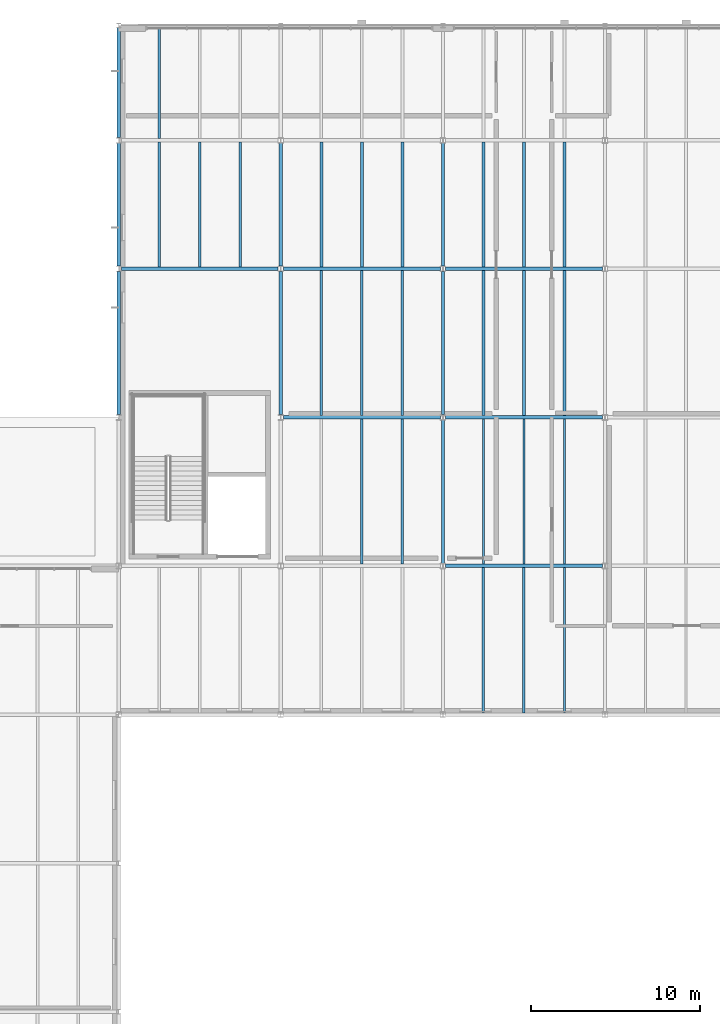
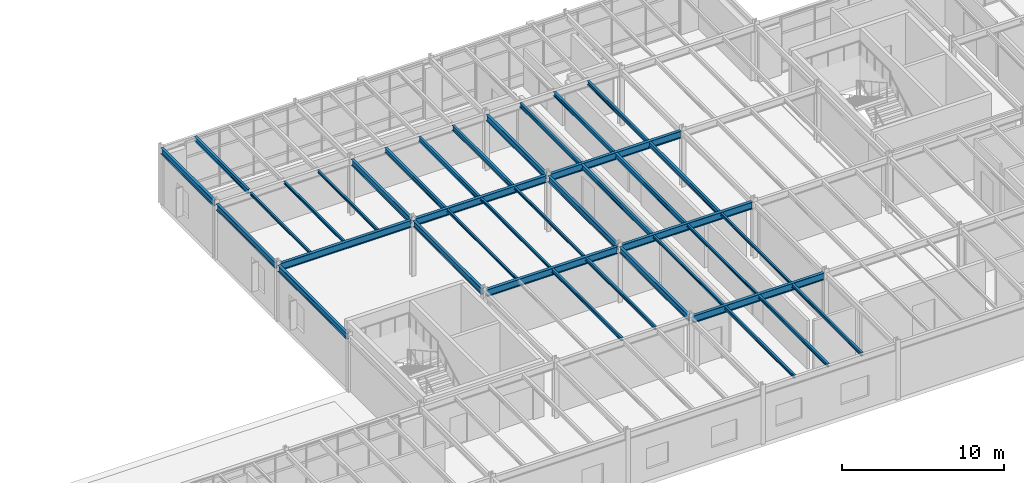
# One storey, part 26 of 69: 38 beams.
"""IFC4 building model written with IfcOpenShell, lengths in metres."""

from ifc_helpers import new_model, si_unit, direction, frame, origin, origin_2d, place, context, subcontext, project, spatial, i_section, extrude, material, material_profile, profile_set, type_object, element, save


model = new_model("IFC4")

# Units and contexts
model_context = context("Model", 3, precision=1e-05, world=origin(), true_north=direction((0.0, 1.0)))
body_context = subcontext(model_context, "Body", "Model", "MODEL_VIEW")
ifc_project = project(units=[si_unit("LENGTHUNIT", "METRE"), si_unit("AREAUNIT", "SQUARE_METRE"), si_unit("VOLUMEUNIT", "CUBIC_METRE"), si_unit("PLANEANGLEUNIT", "RADIAN"), si_unit("MASSUNIT", "GRAM", prefix="KILO")], contexts=[model_context])

# Site, building, storey
site_placement = place(None, origin())
site = spatial("IfcSite", under=ifc_project, at=site_placement, CompositionType="ELEMENT")
building_placement = place(site_placement, origin())
building = spatial("IfcBuilding", under=site, at=building_placement, Name="Sarnbrook Museum", CompositionType="ELEMENT")
storey_placement = place(building_placement, frame((0.0, 0.0, 14.60009765625)))
storey = spatial("IfcBuildingStorey", under=building, at=storey_placement, Name="L03", CompositionType="ELEMENT", Elevation=14.60009765625)

# Beams
ifc_material = material(Name="Structural Steel Grade 300PLUS (AS/NZS 3679.1, fy = 280 MPa for 17 < t <= 40 mm, 300 MPa for t <= 17 mm)", Category="steel")
ifc_material_profile_1 = material_profile(ifc_material, i_section(OverallWidth=0.18994140625, OverallDepth=0.45703125, WebThickness=0.009033203125, FlangeThickness=0.014404296875, FilletRadius=0.011474609375, at=origin_2d()), Name="460UB74.6")
ifc_profile_set_1 = profile_set([ifc_material_profile_1], Name="Structural Steel Grade 300PLUS (AS/NZS 3679.1, fy = 280 MPa for 17 < t <= 40 mm, 300 MPa for t <= 17 mm)")
beam_type_1 = type_object("IfcBeamType", Name="BM-UB460", PredefinedType="BEAM", material=ifc_profile_set_1)
beam_1_placement = place(storey_placement, frame((42.39990234375, 92.157470703125, 3.9814453125), z_axis=(0.0, 1.0, 0.0), x_axis=(-1.0, 0.0, 0.0)))
element("IfcBeam", 1, at=beam_1_placement, inside=storey, type_object=beam_type_1, Name="Girder 5:L-M L03", PredefinedType="BEAM", context=body_context, shape_type="SweptSolid", body=[
    extrude(i_section(OverallWidth=0.18994140625, OverallDepth=0.45703125, WebThickness=0.009033203125, FlangeThickness=0.014404296875, FilletRadius=0.011474609375, at=origin_2d()), origin(), (0.0, 0.0, 1.0), 8.485107421875),
])
beam_2_placement = place(storey_placement, frame((42.39990234375, 100.95751953125, 3.9814453125), z_axis=(0.0, 1.0, 0.0), x_axis=(-1.0, 0.0, 0.0)))
element("IfcBeam", 2, at=beam_2_placement, inside=storey, type_object=beam_type_1, Name="Girder 5:M-N L03", PredefinedType="BEAM", context=body_context, shape_type="SweptSolid", body=[
    extrude(i_section(OverallWidth=0.18994140625, OverallDepth=0.45703125, WebThickness=0.009033203125, FlangeThickness=0.014404296875, FilletRadius=0.011474609375, at=origin_2d()), origin(), (0.0, 0.0, 1.0), 7.284912109375),
])
beam_3_placement = place(storey_placement, frame((42.39990234375, 108.5576171875, 4.0615234375), z_axis=(0.0, 1.0, 0.0), x_axis=(-1.0, 0.0, 0.0)))
element("IfcBeam", 3, at=beam_3_placement, inside=storey, type_object=beam_type_1, Name="Girder 5:N-P L03", PredefinedType="BEAM", context=body_context, shape_type="SweptSolid", body=[
    extrude(i_section(OverallWidth=0.18994140625, OverallDepth=0.45703125, WebThickness=0.009033203125, FlangeThickness=0.014404296875, FilletRadius=0.011474609375, at=origin_2d()), origin(), (0.0, 0.0, 1.0), 6.515380859375),
])
beam_4_placement = place(storey_placement, frame((52.0, 92.157470703125, 3.9814453125), z_axis=(0.0, 1.0, 0.0), x_axis=(-1.0, 0.0, 0.0)))
element("IfcBeam", 4, at=beam_4_placement, inside=storey, type_object=beam_type_1, Name="Girder 6:L-M L03", PredefinedType="BEAM", context=body_context, shape_type="SweptSolid", body=[
    extrude(i_section(OverallWidth=0.18994140625, OverallDepth=0.45703125, WebThickness=0.009033203125, FlangeThickness=0.014404296875, FilletRadius=0.011474609375, at=origin_2d()), origin(), (0.0, 0.0, 1.0), 8.485107421875),
])
beam_5_placement = place(storey_placement, frame((52.0, 100.95751953125, 3.9814453125), z_axis=(0.0, 1.0, 0.0), x_axis=(-1.0, 0.0, 0.0)))
element("IfcBeam", 5, at=beam_5_placement, inside=storey, type_object=beam_type_1, Name="Girder 6:M-N L03", PredefinedType="BEAM", context=body_context, shape_type="SweptSolid", body=[
    extrude(i_section(OverallWidth=0.18994140625, OverallDepth=0.45703125, WebThickness=0.009033203125, FlangeThickness=0.014404296875, FilletRadius=0.011474609375, at=origin_2d()), origin(), (0.0, 0.0, 1.0), 7.284912109375),
])
for number, where, z_axis, x_axis, name in (
    (6, (61.60009765625, 83.357421875, 3.9814453125), (0.0, 1.0, 0.0), (-1.0, 0.0, 0.0), "Girder 7:K-L L03"),
    (7, (61.60009765625, 92.157470703125, 3.9814453125), (0.0, 1.0, 0.0), (-1.0, 0.0, 0.0), "Girder 7:L-M L03"),
):
    element("IfcBeam", number, at=place(storey_placement, frame(where, z_axis=z_axis, x_axis=x_axis)), inside=storey, type_object=beam_type_1, Name=name, PredefinedType="BEAM", context=body_context, shape_type="SweptSolid", body=[
        extrude(i_section(OverallWidth=0.18994140625, OverallDepth=0.45703125, WebThickness=0.009033203125, FlangeThickness=0.014404296875, FilletRadius=0.011474609375, at=origin_2d()), origin(), (0.0, 0.0, 1.0), 8.485107421875),
    ])
beam_6_placement = place(storey_placement, frame((61.60009765625, 100.95751953125, 3.9814453125), z_axis=(0.0, 1.0, 0.0), x_axis=(-1.0, 0.0, 0.0)))
element("IfcBeam", 8, at=beam_6_placement, inside=storey, type_object=beam_type_1, Name="Girder 7:M-N L03", PredefinedType="BEAM", context=body_context, shape_type="SweptSolid", body=[
    extrude(i_section(OverallWidth=0.18994140625, OverallDepth=0.45703125, WebThickness=0.009033203125, FlangeThickness=0.014404296875, FilletRadius=0.011474609375, at=origin_2d()), origin(), (0.0, 0.0, 1.0), 7.284912109375),
])
ifc_material_profile_2 = material_profile(ifc_material, i_section(OverallWidth=0.208984375, OverallDepth=0.532958984375, WebThickness=0.01025390625, FlangeThickness=0.015625, FilletRadius=0.013916015625, at=origin_2d()), Name="530UB92.4")
ifc_profile_set_2 = profile_set([ifc_material_profile_2], Name="Structural Steel Grade 300PLUS (AS/NZS 3679.1, fy = 280 MPa for 17 < t <= 40 mm, 300 MPa for t <= 17 mm)")
beam_type_2 = type_object("IfcBeamType", Name="BM-UB530", PredefinedType="BEAM", material=ifc_profile_set_2)
for number, where, z_axis, x_axis, name in (
    (9, (61.75341796875, 83.199951171875, 3.943359375), (1.0, 0.0, 0.0), (0.0, 1.0, 0.0), "Girder K:7-8 L03"),
    (10, (52.153564453125, 92.0, 3.943359375), (1.0, 0.0, 0.0), (0.0, 1.0, 0.0), "Girder L:6-7 L03"),
    (11, (61.75341796875, 92.0, 3.943359375), (1.0, 0.0, 0.0), (0.0, 1.0, 0.0), "Girder L:7-8 L03"),
    (12, (42.553466796875, 100.800048828125, 3.943359375), (1.0, 0.0, 0.0), (0.0, 1.0, 0.0), "Girder M:5-6 L03"),
    (13, (52.153564453125, 100.800048828125, 3.943359375), (1.0, 0.0, 0.0), (0.0, 1.0, 0.0), "Girder M:6-7 L03"),
    (14, (61.75341796875, 100.800048828125, 3.943359375), (1.0, 0.0, 0.0), (0.0, 1.0, 0.0), "Girder M:7-8 L03"),
):
    element("IfcBeam", number, at=place(storey_placement, frame(where, z_axis=z_axis, x_axis=x_axis)), inside=storey, type_object=beam_type_2, Name=name, PredefinedType="BEAM", context=body_context, shape_type="SweptSolid", body=[
        extrude(i_section(OverallWidth=0.208984375, OverallDepth=0.532958984375, WebThickness=0.01025390625, FlangeThickness=0.015625, FilletRadius=0.013916015625, at=origin_2d()), origin(), (0.0, 0.0, 1.0), 9.29296875),
    ])
ifc_material_profile_3 = material_profile(ifc_material, i_section(OverallWidth=0.134033203125, OverallDepth=0.20703125, WebThickness=0.00634765625, FlangeThickness=0.009521484375, FilletRadius=0.0087890625, at=origin_2d()), Name="200UB29.8")
ifc_profile_set_3 = profile_set([ifc_material_profile_3], Name="Structural Steel Grade 300PLUS (AS/NZS 3679.1, fy = 280 MPa for 17 < t <= 40 mm, 300 MPa for t <= 17 mm)")
beam_type_3 = type_object("IfcBeamType", Name="JS-UB200", PredefinedType="JOIST", material=ifc_profile_set_3)
for number, where, z_axis, x_axis, name in (
    (15, (44.800048828125, 100.904541015625, 4.1064453125), (0.0, 1.0, 0.0), (-1.0, 0.0, 0.0), "Composite Floor Joist 5M-1 L03"),
    (16, (47.199951171875, 100.904541015625, 4.1064453125), (0.0, 1.0, 0.0), (-1.0, 0.0, 0.0), "Composite Floor Joist 5M-2 L03"),
    (17, (49.60009765625, 100.904541015625, 4.1064453125), (0.0, 1.0, 0.0), (-1.0, 0.0, 0.0), "Composite Floor Joist 5M-3 L03"),
):
    element("IfcBeam", number, at=place(storey_placement, frame(where, z_axis=z_axis, x_axis=x_axis)), inside=storey, type_object=beam_type_3, Name=name, PredefinedType="JOIST", context=body_context, shape_type="SweptSolid", body=[
        extrude(i_section(OverallWidth=0.134033203125, OverallDepth=0.20703125, WebThickness=0.00634765625, FlangeThickness=0.009521484375, FilletRadius=0.0087890625, at=origin_2d()), origin(), (0.0, 0.0, 1.0), 7.390869140625),
    ])
for number, where, z_axis, x_axis, name in (
    (18, (54.39990234375, 92.1044921875, 4.1064453125), (0.0, 1.0, 0.0), (-1.0, 0.0, 0.0), "Composite Floor Joist 6L-1 L03"),
    (19, (56.800048828125, 92.1044921875, 4.1064453125), (0.0, 1.0, 0.0), (-1.0, 0.0, 0.0), "Composite Floor Joist 6L-2 L03"),
    (20, (59.199951171875, 92.1044921875, 4.1064453125), (0.0, 1.0, 0.0), (-1.0, 0.0, 0.0), "Composite Floor Joist 6L-3 L03"),
    (21, (64.0, 83.304443359375, 4.1064453125), (0.0, 1.0, 0.0), (-1.0, 0.0, 0.0), "Composite Floor Joist 7K-1 L03"),
    (22, (66.39990234375, 83.304443359375, 4.1064453125), (0.0, 1.0, 0.0), (-1.0, 0.0, 0.0), "Composite Floor Joist 7K-2 L03"),
    (23, (68.800048828125, 83.304443359375, 4.1064453125), (0.0, 1.0, 0.0), (-1.0, 0.0, 0.0), "Composite Floor Joist 7K-3 L03"),
):
    element("IfcBeam", number, at=place(storey_placement, frame(where, z_axis=z_axis, x_axis=x_axis)), inside=storey, type_object=beam_type_3, Name=name, PredefinedType="JOIST", context=body_context, shape_type="SweptSolid", body=[
        extrude(i_section(OverallWidth=0.134033203125, OverallDepth=0.20703125, WebThickness=0.00634765625, FlangeThickness=0.009521484375, FilletRadius=0.0087890625, at=origin_2d()), origin(), (0.0, 0.0, 1.0), 8.591064453125),
    ])
ifc_material_profile_4 = material_profile(ifc_material, i_section(OverallWidth=0.14599609375, OverallDepth=0.256103515625, WebThickness=0.00634765625, FlangeThickness=0.010986328125, FilletRadius=0.0087890625, at=origin_2d()), Name="250UB37.3")
ifc_profile_set_4 = profile_set([ifc_material_profile_4], Name="Structural Steel Grade 300PLUS (AS/NZS 3679.1, fy = 280 MPa for 17 < t <= 40 mm, 300 MPa for t <= 17 mm)")
beam_type_4 = type_object("IfcBeamType", Name="JS-UB250", PredefinedType="JOIST", material=ifc_profile_set_4)
for number, where, z_axis, x_axis, name in (
    (24, (56.800048828125, 83.304443359375, 4.081787109375), (0.0, 1.0, 0.0), (-1.0, 0.0, 0.0), "Composite Floor Joist 6K-2 L03"),
    (25, (59.199951171875, 83.304443359375, 4.081787109375), (0.0, 1.0, 0.0), (-1.0, 0.0, 0.0), "Composite Floor Joist 6K-3 L03"),
    (26, (64.0, 74.50439453125, 4.081787109375), (0.0, 1.0, 0.0), (-1.0, 0.0, 0.0), "Composite Floor Joist 7J-1 L03"),
    (27, (66.39990234375, 74.50439453125, 4.081787109375), (0.0, 1.0, 0.0), (-1.0, 0.0, 0.0), "Composite Floor Joist 7J-2 L03"),
    (28, (68.800048828125, 74.50439453125, 4.081787109375), (0.0, 1.0, 0.0), (-1.0, 0.0, 0.0), "Composite Floor Joist 7J-3 L03"),
):
    element("IfcBeam", number, at=place(storey_placement, frame(where, z_axis=z_axis, x_axis=x_axis)), inside=storey, type_object=beam_type_4, Name=name, PredefinedType="JOIST", context=body_context, shape_type="SweptSolid", body=[
        extrude(i_section(OverallWidth=0.14599609375, OverallDepth=0.256103515625, WebThickness=0.00634765625, FlangeThickness=0.010986328125, FilletRadius=0.0087890625, at=origin_2d()), origin(), (0.0, 0.0, 1.0), 8.591064453125),
    ])
ifc_material_profile_5 = material_profile(ifc_material, i_section(OverallWidth=0.166015625, OverallDepth=0.306884765625, WebThickness=0.006591796875, FlangeThickness=0.01171875, FilletRadius=0.011474609375, at=origin_2d()), Name="310UB46.2")
ifc_profile_set_5 = profile_set([ifc_material_profile_5], Name="Structural Steel Grade 300PLUS (AS/NZS 3679.1, fy = 280 MPa for 17 < t <= 40 mm, 300 MPa for t <= 17 mm)")
beam_type_5 = type_object("IfcBeamType", Name="JS-UB310H", PredefinedType="JOIST", material=ifc_profile_set_5)
for number, where, z_axis, x_axis, name in (
    (29, (64.0, 100.904541015625, 4.056396484375), (0.0, 1.0, 0.0), (-1.0, 0.0, 0.0), "Composite Floor Joist 7M-1 L03"),
    (30, (66.39990234375, 100.904541015625, 4.056396484375), (0.0, 1.0, 0.0), (-1.0, 0.0, 0.0), "Composite Floor Joist 7M-2 L03"),
    (31, (68.800048828125, 100.904541015625, 4.056396484375), (0.0, 1.0, 0.0), (-1.0, 0.0, 0.0), "Composite Floor Joist 7M-3 L03"),
):
    element("IfcBeam", number, at=place(storey_placement, frame(where, z_axis=z_axis, x_axis=x_axis)), inside=storey, type_object=beam_type_5, Name=name, PredefinedType="JOIST", context=body_context, shape_type="SweptSolid", body=[
        extrude(i_section(OverallWidth=0.166015625, OverallDepth=0.306884765625, WebThickness=0.006591796875, FlangeThickness=0.01171875, FilletRadius=0.011474609375, at=origin_2d()), origin(), (0.0, 0.0, 1.0), 7.390869140625),
    ])
ifc_material_profile_6 = material_profile(ifc_material, i_section(OverallWidth=0.1708984375, OverallDepth=0.35595703125, WebThickness=0.00732421875, FlangeThickness=0.011474609375, FilletRadius=0.011474609375, at=origin_2d()), Name="360UB50.7")
ifc_profile_set_6 = profile_set([ifc_material_profile_6], Name="Structural Steel Grade 300PLUS (AS/NZS 3679.1, fy = 280 MPa for 17 < t <= 40 mm, 300 MPa for t <= 17 mm)")
beam_type_6 = type_object("IfcBeamType", Name="JS-UB360", PredefinedType="JOIST", material=ifc_profile_set_6)
beam_7_placement = place(storey_placement, frame((44.800048828125, 108.50439453125, 4.11181640625), z_axis=(0.0, 1.0, 0.0), x_axis=(-1.0, 0.0, 0.0)))
element("IfcBeam", 32, at=beam_7_placement, inside=storey, type_object=beam_type_6, Name="Composite Floor Joist 5N-1 L03", PredefinedType="JOIST", context=body_context, shape_type="SweptSolid", body=[
    extrude(i_section(OverallWidth=0.1708984375, OverallDepth=0.35595703125, WebThickness=0.00732421875, FlangeThickness=0.011474609375, FilletRadius=0.011474609375, at=origin_2d()), origin(), (0.0, 0.0, 1.0), 6.606689453125),
])
for number, where, z_axis, x_axis, name in (
    (33, (54.39990234375, 100.904541015625, 4.031982421875), (0.0, 1.0, 0.0), (-1.0, 0.0, 0.0), "Composite Floor Joist 6M-1 L03"),
    (34, (56.800048828125, 100.904541015625, 4.031982421875), (0.0, 1.0, 0.0), (-1.0, 0.0, 0.0), "Composite Floor Joist 6M-2 L03"),
    (35, (59.199951171875, 100.904541015625, 4.031982421875), (0.0, 1.0, 0.0), (-1.0, 0.0, 0.0), "Composite Floor Joist 6M-3 L03"),
):
    element("IfcBeam", number, at=place(storey_placement, frame(where, z_axis=z_axis, x_axis=x_axis)), inside=storey, type_object=beam_type_6, Name=name, PredefinedType="JOIST", context=body_context, shape_type="SweptSolid", body=[
        extrude(i_section(OverallWidth=0.1708984375, OverallDepth=0.35595703125, WebThickness=0.00732421875, FlangeThickness=0.011474609375, FilletRadius=0.011474609375, at=origin_2d()), origin(), (0.0, 0.0, 1.0), 7.390869140625),
    ])
for number, where, z_axis, x_axis, name in (
    (36, (64.0, 92.1044921875, 4.031982421875), (0.0, 1.0, 0.0), (-1.0, 0.0, 0.0), "Composite Floor Joist 7L-1 L03"),
    (37, (66.39990234375, 92.1044921875, 4.031982421875), (0.0, 1.0, 0.0), (-1.0, 0.0, 0.0), "Composite Floor Joist 7L-2 L03"),
    (38, (68.800048828125, 92.1044921875, 4.031982421875), (0.0, 1.0, 0.0), (-1.0, 0.0, 0.0), "Composite Floor Joist 7L-3 L03"),
):
    element("IfcBeam", number, at=place(storey_placement, frame(where, z_axis=z_axis, x_axis=x_axis)), inside=storey, type_object=beam_type_6, Name=name, PredefinedType="JOIST", context=body_context, shape_type="SweptSolid", body=[
        extrude(i_section(OverallWidth=0.1708984375, OverallDepth=0.35595703125, WebThickness=0.00732421875, FlangeThickness=0.011474609375, FilletRadius=0.011474609375, at=origin_2d()), origin(), (0.0, 0.0, 1.0), 8.591064453125),
    ])

save(model, "model.ifc")
